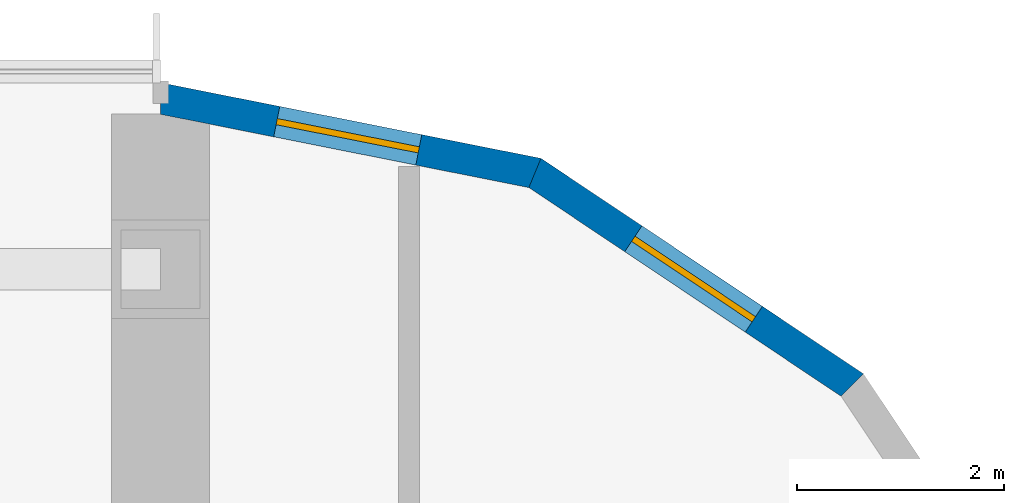
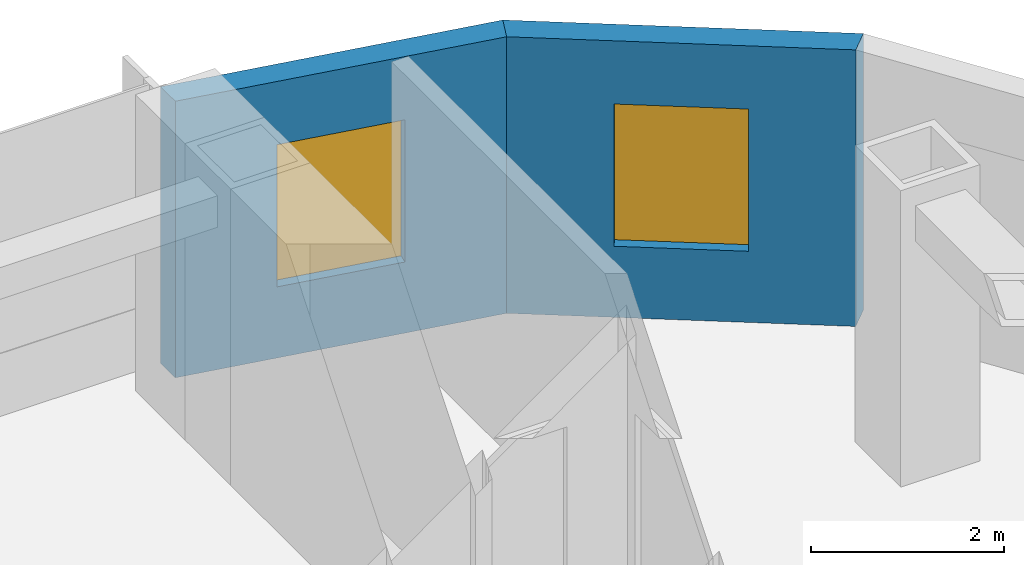
# One storey, part 16 of 21: 2 walls, 2 windows, 2 openings.
"""IFC4 building model written with IfcOpenShell, lengths in metres."""

from ifc_helpers import new_model, si_unit, direction, frame, frame_2d, origin, place, context, subcontext, project, spatial, polyline, rectangle, outline, extrude, material, layer, layer_set, type_object, element, fill, save


model = new_model("IFC4")

# Units and contexts
model_context = context("Model", 3, precision=1e-05, world=origin(), true_north=direction((0.0, 1.0)))
body_context = subcontext(model_context, "Body", "Model", "MODEL_VIEW")
ifc_project = project(units=[si_unit("LENGTHUNIT", "METRE"), si_unit("AREAUNIT", "SQUARE_METRE"), si_unit("VOLUMEUNIT", "CUBIC_METRE"), si_unit("PLANEANGLEUNIT", "RADIAN"), si_unit("MASSUNIT", "GRAM", prefix="KILO")], contexts=[model_context])

# Site, building, storey
site_placement = place(None, origin())
site = spatial("IfcSite", under=ifc_project, at=site_placement, CompositionType="ELEMENT")
building_placement = place(site_placement, origin())
building = spatial("IfcBuilding", under=site, at=building_placement, Name="Orbita Commons", CompositionType="ELEMENT")
storey_placement = place(building_placement, frame((0.0, 0.0, 125.64990234375)))
storey = spatial("IfcBuildingStorey", under=building, at=storey_placement, Name="L31", CompositionType="ELEMENT", Elevation=125.64990234375)

# Wall, opening, window
ifc_material_1 = material(Name="Precast concrete C40/50, white board-marked finish", Category="concrete")
ifc_layer = layer(ifc_material_1, 0.300048828125)
ifc_layer_set = layer_set([ifc_layer], Name="Precast concrete C40/50, white board-marked finish")
wall_type = type_object("IfcWallType", Name="Precast concrete end shield 300", PredefinedType="SOLIDWALL", material=ifc_layer_set)
wall_1_placement = place(storey_placement, frame((72.68212890625, 52.482177734375, 0.0), z_axis=(0.0, 0.0, 1.0), x_axis=(-0.831448786846, 0.555601399253, 0.0)))
wall_1 = element("IfcWall", 1, at=wall_1_placement, inside=storey, type_object=wall_type, Name="End shield NE chord 3 L31", PredefinedType="SOLIDWALL", context=body_context, shape_type="SweptSolid", body=[
    extrude(outline(polyline([(-0.02978515625, -0.14990234375), (3.717041015625, -0.14990234375), (3.657470703125, 0.14990234375), (0.02978515625, 0.14990234375), (-0.02978515625, -0.14990234375)])), origin(), (0.0, 0.0, 1.0), 3.5),
])
opening_1_placement = place(wall_1_placement, frame((1.1435546875, 0.0, 0.89990234375)))
opening_1 = element("IfcOpeningElement", 2, at=opening_1_placement, cuts=wall_1, Name="Opening W02", PredefinedType="OPENING", context=body_context, shape_type="SweptSolid", body=[
    extrude(rectangle(XDim=1.39990234375, YDim=1.800048828125, at=frame_2d((0.699951171875, 0.89990234375))), frame((0.0, 0.159912109375, 0.0), z_axis=(0.0, -1.0, 0.0), x_axis=(1.0, 0.0, 0.0)), (0.0, 0.0, 1.0), 0.320068359375),
])
ifc_material_2 = material(Name="Aluminium frame, clear double glazing", Category="aluminium")
window_type = type_object("IfcWindowType", Name="Deep-set window 1400x1800", PartitioningType="SINGLE_PANEL", PredefinedType="WINDOW", material=ifc_material_2)
window_1_placement = place(opening_1_placement, origin())
window_1 = element("IfcWindow", 3, at=window_1_placement, inside=storey, type_object=window_type, Name="Window L31-NE2", OverallHeight=1.800048828125, OverallWidth=1.39990234375, PartitioningType="SINGLE_PANEL", PredefinedType="WINDOW", context=body_context, shape_type="SweptSolid", body=[
    extrude(rectangle(XDim=1.39990234375, YDim=1.800048828125, at=frame_2d((0.699951171875, 0.89990234375))), frame((0.0, 0.030029296875, 0.0), z_axis=(0.0, -1.0, 0.0), x_axis=(1.0, 0.0, 0.0)), (0.0, 0.0, 1.0), 0.06005859375),
])
fill(opening_1, window_1)

wall_2_placement = place(storey_placement, frame((69.616455078125, 54.53076171875, 0.0), z_axis=(0.0, 0.0, 1.0), x_axis=(-0.980791473772, 0.195059183267, 0.0)))
wall_2 = element("IfcWall", 4, at=wall_2_placement, inside=storey, type_object=wall_type, Name="End shield NE chord 4 L31", PredefinedType="SOLIDWALL", context=body_context, shape_type="SweptSolid", body=[
    extrude(outline(polyline([(-0.02978515625, -0.14990234375), (3.717041015625, -0.14990234375), (3.657470703125, 0.14990234375), (0.02978515625, 0.14990234375), (-0.02978515625, -0.14990234375)])), origin(), (0.0, 0.0, 1.0), 3.5),
])
opening_2_placement = place(wall_2_placement, frame((1.1435546875, 0.0, 0.89990234375)))
opening_2 = element("IfcOpeningElement", 5, at=opening_2_placement, cuts=wall_2, Name="Opening W02", PredefinedType="OPENING", context=body_context, shape_type="SweptSolid", body=[
    extrude(rectangle(XDim=1.39990234375, YDim=1.800048828125, at=frame_2d((0.699951171875, 0.89990234375))), frame((0.0, 0.159912109375, 0.0), z_axis=(0.0, -1.0, 0.0), x_axis=(1.0, 0.0, 0.0)), (0.0, 0.0, 1.0), 0.320068359375),
])
window_2_placement = place(opening_2_placement, origin())
window_2 = element("IfcWindow", 6, at=window_2_placement, inside=storey, type_object=window_type, Name="Window L31-NE3", OverallHeight=1.800048828125, OverallWidth=1.39990234375, PartitioningType="SINGLE_PANEL", PredefinedType="WINDOW", context=body_context, shape_type="SweptSolid", body=[
    extrude(rectangle(XDim=1.39990234375, YDim=1.800048828125, at=frame_2d((0.699951171875, 0.89990234375))), frame((0.0, 0.030029296875, 0.0), z_axis=(0.0, -1.0, 0.0), x_axis=(1.0, 0.0, 0.0)), (0.0, 0.0, 1.0), 0.06005859375),
])
fill(opening_2, window_2)

save(model, "model.ifc")
